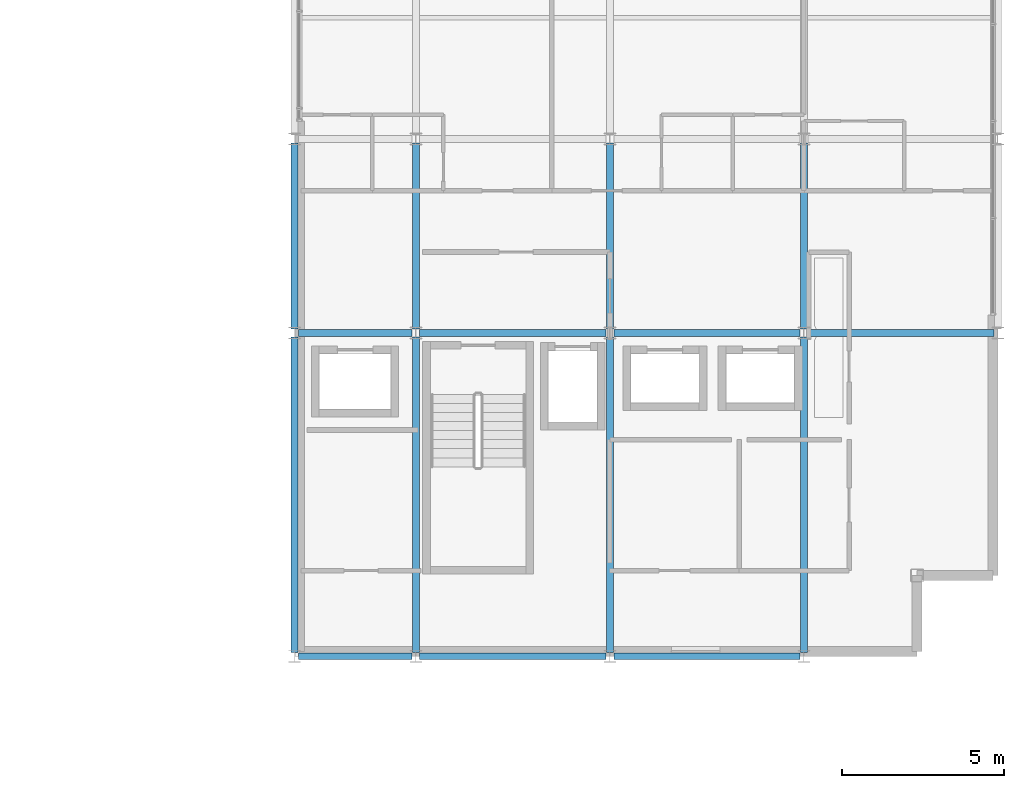
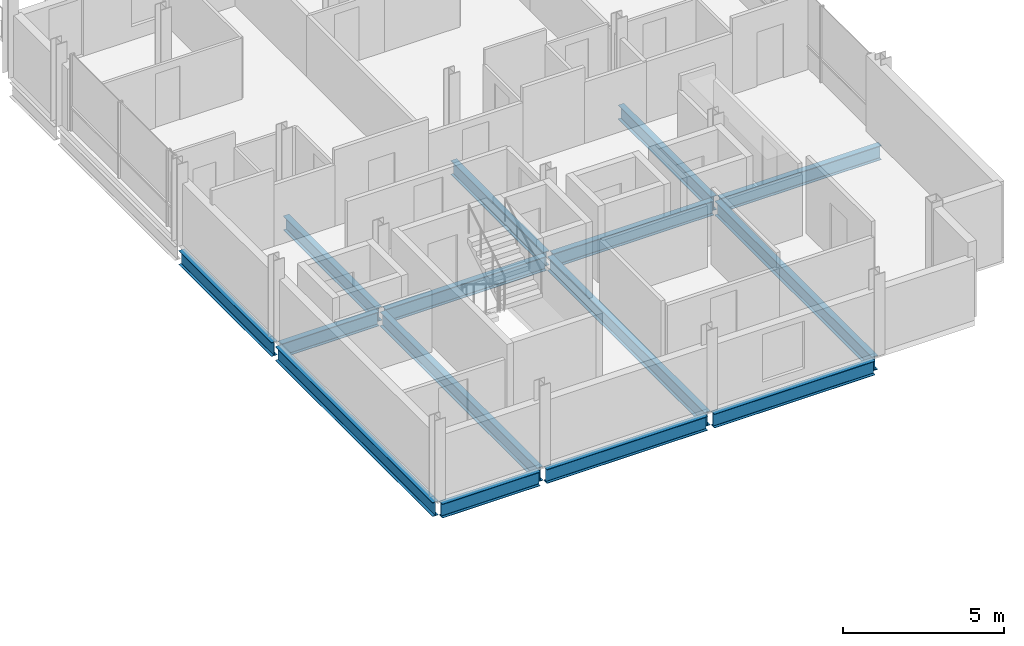
# One storey, part 10 of 29: 15 beams.
"""IFC4 building model written with IfcOpenShell, lengths in metres."""

from ifc_helpers import new_model, si_unit, direction, frame, origin, origin_2d, place, context, subcontext, project, spatial, i_section, extrude, material, material_profile, profile_set, type_object, element, save


model = new_model("IFC4")

# Units and contexts
model_context = context("Model", 3, precision=1e-05, world=origin(), true_north=direction((0.0, 1.0)))
body_context = subcontext(model_context, "Body", "Model", "MODEL_VIEW")
ifc_project = project(units=[si_unit("LENGTHUNIT", "METRE"), si_unit("AREAUNIT", "SQUARE_METRE"), si_unit("VOLUMEUNIT", "CUBIC_METRE"), si_unit("PLANEANGLEUNIT", "RADIAN"), si_unit("MASSUNIT", "GRAM", prefix="KILO")], contexts=[model_context])

# Site, building, storey
site_placement = place(None, origin())
site = spatial("IfcSite", under=ifc_project, at=site_placement, CompositionType="ELEMENT")
building_placement = place(site_placement, origin())
building = spatial("IfcBuilding", under=site, at=building_placement, Name="Brevholm Reach", CompositionType="ELEMENT")
storey_placement = place(building_placement, frame((0.0, 0.0, 201.800048828125)))
storey = spatial("IfcBuildingStorey", under=building, at=storey_placement, Name="L61", CompositionType="ELEMENT", Elevation=201.800048828125)

# Beams
ifc_material_1 = material(Name="Structural Steel S355J2", Category="steel")
ifc_material_profile_1 = material_profile(ifc_material_1, i_section(OverallWidth=0.209228515625, OverallDepth=0.533203125, WebThickness=0.010009765625, FlangeThickness=0.015625, FilletRadius=0.0126953125, at=origin_2d()), Name="UKB 533x210x92")
ifc_profile_set_1 = profile_set([ifc_material_profile_1], Name="Structural Steel S355J2")
beam_type_1 = type_object("IfcBeamType", Name="BM-SP533", PredefinedType="SPANDREL", material=ifc_profile_set_1)
beam_1_placement = place(storey_placement, frame((38.3701171875, 0.0, -0.4765625), z_axis=(1.0, 0.0, 0.0), x_axis=(0.0, 1.0, 0.0)))
element("IfcBeam", 1, at=beam_1_placement, inside=storey, type_object=beam_type_1, Name="L61 SP-02 Framing Beam", PredefinedType="SPANDREL", context=body_context, shape_type="SweptSolid", body=[
    extrude(i_section(OverallWidth=0.209228515625, OverallDepth=0.533203125, WebThickness=0.010009765625, FlangeThickness=0.015625, FilletRadius=0.0126953125, at=origin_2d()), origin(), (0.0, 0.0, 1.0), 3.509765625),
])
for number, where, z_axis, x_axis, name in (
    (2, (42.1201171875, 0.0, -0.4765625), (1.0, 0.0, 0.0), (0.0, 1.0, 0.0), "L61 SP-02 Framing Beam"),
    (3, (48.1201171875, 0.0, -0.4765625), (1.0, 0.0, 0.0), (0.0, 1.0, 0.0), "L61 SP-02 Framing Beam"),
):
    element("IfcBeam", number, at=place(storey_placement, frame(where, z_axis=z_axis, x_axis=x_axis)), inside=storey, type_object=beam_type_1, Name=name, PredefinedType="SPANDREL", context=body_context, shape_type="SweptSolid", body=[
        extrude(i_section(OverallWidth=0.209228515625, OverallDepth=0.533203125, WebThickness=0.010009765625, FlangeThickness=0.015625, FilletRadius=0.0126953125, at=origin_2d()), origin(), (0.0, 0.0, 1.0), 5.759765625),
    ])
beam_2_placement = place(storey_placement, frame((38.25, 0.1201171875, -0.4765625), z_axis=(0.0, 1.0, 0.0), x_axis=(-1.0, 0.0, 0.0)))
element("IfcBeam", 4, at=beam_2_placement, inside=storey, type_object=beam_type_1, Name="L61 SP-02 Framing Beam", PredefinedType="SPANDREL", context=body_context, shape_type="SweptSolid", body=[
    extrude(i_section(OverallWidth=0.209228515625, OverallDepth=0.533203125, WebThickness=0.010009765625, FlangeThickness=0.015625, FilletRadius=0.0126953125, at=origin_2d()), origin(), (0.0, 0.0, 1.0), 9.759765625),
])
beam_3_placement = place(storey_placement, frame((38.25, 10.1201171875, -0.4765625), z_axis=(0.0, 1.0, 0.0), x_axis=(-1.0, 0.0, 0.0)))
element("IfcBeam", 5, at=beam_3_placement, inside=storey, type_object=beam_type_1, Name="L61 SP-02 Framing Beam", PredefinedType="SPANDREL", context=body_context, shape_type="SweptSolid", body=[
    extrude(i_section(OverallWidth=0.209228515625, OverallDepth=0.533203125, WebThickness=0.010009765625, FlangeThickness=0.015625, FilletRadius=0.0126953125, at=origin_2d()), origin(), (0.0, 0.0, 1.0), 5.759765625),
])
ifc_material_2 = material(Name="Structural Steel S355J2", Category="steel")
ifc_material_profile_2 = material_profile(ifc_material_2, i_section(OverallWidth=0.210693359375, OverallDepth=0.53955078125, WebThickness=0.01171875, FlangeThickness=0.018798828125, FilletRadius=0.0126953125, at=origin_2d()), Name="UKB 533x210x109")
ifc_profile_set_2 = profile_set([ifc_material_profile_2], Name="Structural Steel S355J2")
beam_type_2 = type_object("IfcBeamType", Name="BM-SP539", PredefinedType="SPANDREL", material=ifc_profile_set_2)
beam_4_placement = place(storey_placement, frame((38.3701171875, 10.0, -0.479736328125), z_axis=(1.0, 0.0, 0.0), x_axis=(0.0, 1.0, 0.0)))
element("IfcBeam", 6, at=beam_4_placement, inside=storey, type_object=beam_type_2, Name="L61 SP-01B Framing Beam", PredefinedType="SPANDREL", context=body_context, shape_type="SweptSolid", body=[
    extrude(i_section(OverallWidth=0.210693359375, OverallDepth=0.53955078125, WebThickness=0.01171875, FlangeThickness=0.018798828125, FilletRadius=0.0126953125, at=origin_2d()), origin(), (0.0, 0.0, 1.0), 3.509765625),
])
for number, where, z_axis, x_axis, name in (
    (7, (42.1201171875, 10.0, -0.479736328125), (1.0, 0.0, 0.0), (0.0, 1.0, 0.0), "L61 SP-01B Framing Beam"),
    (8, (48.1201171875, 10.0, -0.479736328125), (1.0, 0.0, 0.0), (0.0, 1.0, 0.0), "L61 SP-01B Framing Beam"),
    (9, (54.1201171875, 10.0, -0.479736328125), (1.0, 0.0, 0.0), (0.0, 1.0, 0.0), "L61 SP-01B Framing Beam"),
):
    element("IfcBeam", number, at=place(storey_placement, frame(where, z_axis=z_axis, x_axis=x_axis)), inside=storey, type_object=beam_type_2, Name=name, PredefinedType="SPANDREL", context=body_context, shape_type="SweptSolid", body=[
        extrude(i_section(OverallWidth=0.210693359375, OverallDepth=0.53955078125, WebThickness=0.01171875, FlangeThickness=0.018798828125, FilletRadius=0.0126953125, at=origin_2d()), origin(), (0.0, 0.0, 1.0), 5.759765625),
    ])
beam_5_placement = place(storey_placement, frame((42.0, 0.1201171875, -0.479736328125), z_axis=(0.0, 1.0, 0.0), x_axis=(-1.0, 0.0, 0.0)))
element("IfcBeam", 10, at=beam_5_placement, inside=storey, type_object=beam_type_2, Name="L61 SP-01B Framing Beam", PredefinedType="SPANDREL", context=body_context, shape_type="SweptSolid", body=[
    extrude(i_section(OverallWidth=0.210693359375, OverallDepth=0.53955078125, WebThickness=0.01171875, FlangeThickness=0.018798828125, FilletRadius=0.0126953125, at=origin_2d()), origin(), (0.0, 0.0, 1.0), 9.759765625),
])
beam_6_placement = place(storey_placement, frame((42.0, 10.1201171875, -0.479736328125), z_axis=(0.0, 1.0, 0.0), x_axis=(-1.0, 0.0, 0.0)))
element("IfcBeam", 11, at=beam_6_placement, inside=storey, type_object=beam_type_2, Name="L61 SP-01B Framing Beam", PredefinedType="SPANDREL", context=body_context, shape_type="SweptSolid", body=[
    extrude(i_section(OverallWidth=0.210693359375, OverallDepth=0.53955078125, WebThickness=0.01171875, FlangeThickness=0.018798828125, FilletRadius=0.0126953125, at=origin_2d()), origin(), (0.0, 0.0, 1.0), 5.759765625),
])
beam_7_placement = place(storey_placement, frame((48.0, 0.1201171875, -0.479736328125), z_axis=(0.0, 1.0, 0.0), x_axis=(-1.0, 0.0, 0.0)))
element("IfcBeam", 12, at=beam_7_placement, inside=storey, type_object=beam_type_2, Name="L61 SP-01B Framing Beam", PredefinedType="SPANDREL", context=body_context, shape_type="SweptSolid", body=[
    extrude(i_section(OverallWidth=0.210693359375, OverallDepth=0.53955078125, WebThickness=0.01171875, FlangeThickness=0.018798828125, FilletRadius=0.0126953125, at=origin_2d()), origin(), (0.0, 0.0, 1.0), 9.759765625),
])
beam_8_placement = place(storey_placement, frame((48.0, 10.1201171875, -0.479736328125), z_axis=(0.0, 1.0, 0.0), x_axis=(-1.0, 0.0, 0.0)))
element("IfcBeam", 13, at=beam_8_placement, inside=storey, type_object=beam_type_2, Name="L61 SP-01B Framing Beam", PredefinedType="SPANDREL", context=body_context, shape_type="SweptSolid", body=[
    extrude(i_section(OverallWidth=0.210693359375, OverallDepth=0.53955078125, WebThickness=0.01171875, FlangeThickness=0.018798828125, FilletRadius=0.0126953125, at=origin_2d()), origin(), (0.0, 0.0, 1.0), 5.759765625),
])
beam_9_placement = place(storey_placement, frame((54.0, 0.1201171875, -0.479736328125), z_axis=(0.0, 1.0, 0.0), x_axis=(-1.0, 0.0, 0.0)))
element("IfcBeam", 14, at=beam_9_placement, inside=storey, type_object=beam_type_2, Name="L61 SP-01B Framing Beam", PredefinedType="SPANDREL", context=body_context, shape_type="SweptSolid", body=[
    extrude(i_section(OverallWidth=0.210693359375, OverallDepth=0.53955078125, WebThickness=0.01171875, FlangeThickness=0.018798828125, FilletRadius=0.0126953125, at=origin_2d()), origin(), (0.0, 0.0, 1.0), 9.759765625),
])
beam_10_placement = place(storey_placement, frame((54.0, 10.1201171875, -0.479736328125), z_axis=(0.0, 1.0, 0.0), x_axis=(-1.0, 0.0, 0.0)))
element("IfcBeam", 15, at=beam_10_placement, inside=storey, type_object=beam_type_2, Name="L61 SP-01B Framing Beam", PredefinedType="SPANDREL", context=body_context, shape_type="SweptSolid", body=[
    extrude(i_section(OverallWidth=0.210693359375, OverallDepth=0.53955078125, WebThickness=0.01171875, FlangeThickness=0.018798828125, FilletRadius=0.0126953125, at=origin_2d()), origin(), (0.0, 0.0, 1.0), 5.759765625),
])

save(model, "model.ifc")
